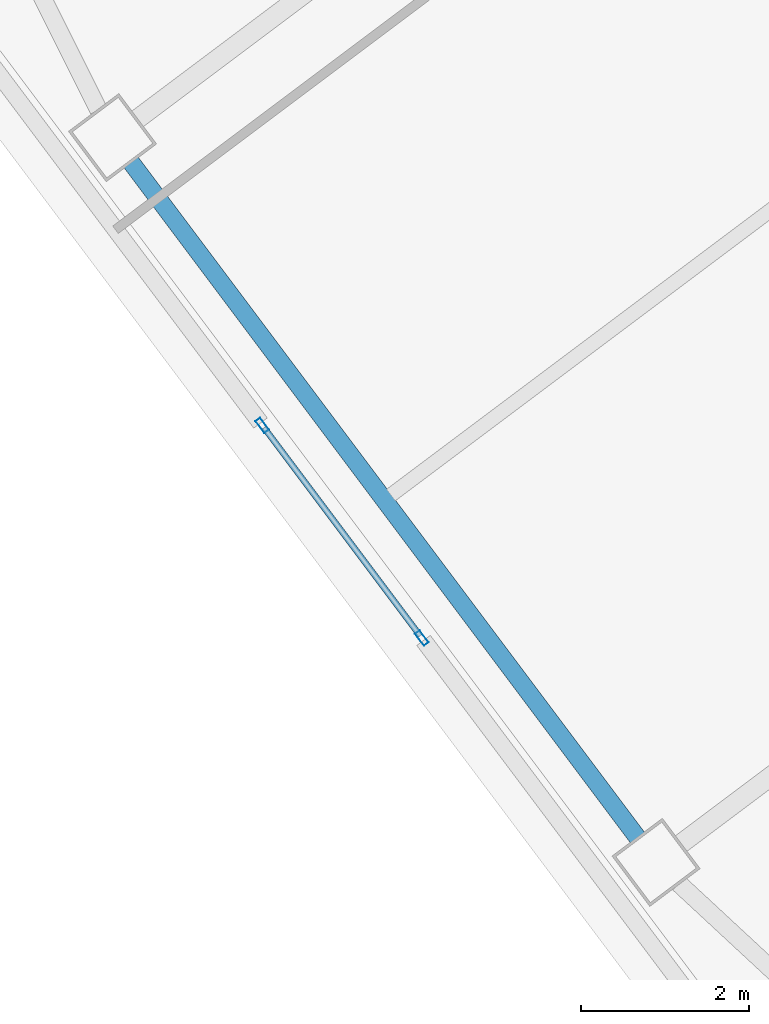
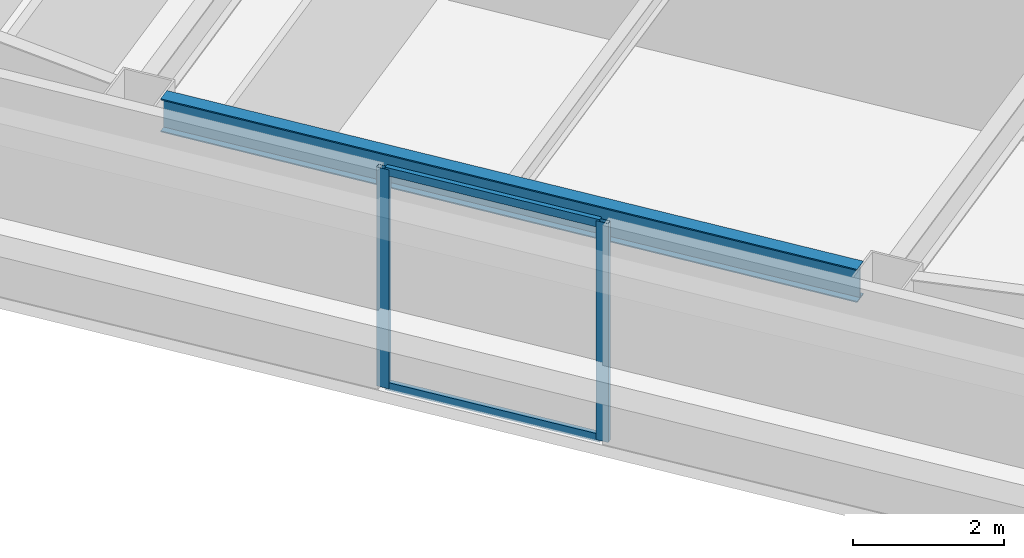
# One storey, part 17 of 43: 4 members, 1 beam, 1 element without a shape of its own.
"""IFC4 building model written with IfcOpenShell, lengths in metres."""

from ifc_helpers import new_model, si_unit, direction, frame, origin, origin_2d, place, context, subcontext, project, spatial, hollow_rectangle, i_section, extrude, material, material_profile, profile_set, type_object, element, aggregate, save


model = new_model("IFC4")

# Units and contexts
model_context = context("Model", 3, precision=1e-05, world=origin(), true_north=direction((0.0, 1.0)))
body_context = subcontext(model_context, "Body", "Model", "MODEL_VIEW")
ifc_project = project(units=[si_unit("LENGTHUNIT", "METRE"), si_unit("AREAUNIT", "SQUARE_METRE"), si_unit("VOLUMEUNIT", "CUBIC_METRE"), si_unit("PLANEANGLEUNIT", "RADIAN"), si_unit("MASSUNIT", "GRAM", prefix="KILO")], contexts=[model_context])

# Site, building, storey
site_placement = place(None, origin())
site = spatial("IfcSite", under=ifc_project, at=site_placement, CompositionType="ELEMENT")
building_placement = place(site_placement, origin())
building = spatial("IfcBuilding", under=site, at=building_placement, Name="Tashvorn Skyway Center", CompositionType="ELEMENT")
storey_placement = place(building_placement, frame((0.0, 0.0, 185.39990234375)))
storey = spatial("IfcBuildingStorey", under=building, at=storey_placement, Name="L50", CompositionType="ELEMENT", Elevation=185.39990234375)

# Beam
ifc_material_1 = material(Name="Steel ASTM A992 Grade 50", Category="steel")
ifc_material_profile_1 = material_profile(ifc_material_1, i_section(OverallWidth=0.2109375, OverallDepth=0.5390625, WebThickness=0.01171875, FlangeThickness=0.018798828125, at=origin_2d()), Name="W21X73")
ifc_profile_set_1 = profile_set([ifc_material_profile_1], Name="Steel ASTM A992 Grade 50")
beam_type = type_object("IfcBeamType", Name="BM-SPANDREL-W21X73", PredefinedType="SPANDREL", material=ifc_profile_set_1)
beam_placement = place(storey_placement, frame((98.06201171875, 26.333984375, 3.1005859375), z_axis=(0.599988351091, -0.800008736549, 0.0), x_axis=(0.800008736549, 0.599988351091, 0.0)))
element("IfcBeam", 1, at=beam_placement, inside=storey, type_object=beam_type, Name="Tower 2 L50 Spandrel Beam 11", PredefinedType="SPANDREL", context=body_context, shape_type="SweptSolid", body=[
    extrude(i_section(OverallWidth=0.2109375, OverallDepth=0.5390625, WebThickness=0.01171875, FlangeThickness=0.018798828125, at=origin_2d()), origin(), (0.0, 0.0, 1.0), 10.06005859375),
])

# Curtain wall, members
ifc_material_2 = material(Name="Thermally broken bronze-anodized aluminium 6063-T6", Category="aluminium")
curtain_wall_type = type_object("IfcCurtainWallType", Name="CW-CW-Z4", PredefinedType="NOTDEFINED", material=ifc_material_2)
curtain_wall_placement = place(storey_placement, origin())
curtain_wall = element("IfcCurtainWall", 2, at=curtain_wall_placement, inside=storey, type_object=curtain_wall_type, Name="Tower 2 L50 West Unitised Curtain Wall Glazing Group 2", PredefinedType="NOTDEFINED")
ifc_material_profile_2 = material_profile(ifc_material_2, hollow_rectangle(XDim=0.070068359375, YDim=0.179931640625, WallThickness=0.00390625, at=origin_2d()), Name="ALU-MULL-70x180")
ifc_profile_set_2 = profile_set([ifc_material_profile_2], Name="Thermally broken bronze-anodized aluminium 6063-T6")
member_type_1 = type_object("IfcMemberType", Name="CWM-CW-Z4", PredefinedType="MULLION", material=ifc_profile_set_2)
member_1_placement = place(storey_placement, frame((101.527099609375, 20.6640625, 0.0), z_axis=(0.0, 0.0, 1.0), x_axis=(-0.799999999998, -0.600000000002, 0.0)))
member_1 = element("IfcMember", 3, at=member_1_placement, type_object=member_type_1, Name="CW-Z4 mullion 1", PredefinedType="MULLION", context=body_context, shape_type="SweptSolid", body=[
    extrude(hollow_rectangle(XDim=0.070068359375, YDim=0.179931640625, WallThickness=0.00390625, at=origin_2d()), origin(), (0.0, 0.0, 1.0), 3.550048828125),
])
member_2_placement = place(storey_placement, frame((99.625, 23.199951171875, 0.0), z_axis=(0.0, 0.0, 1.0), x_axis=(-0.799999999998, -0.600000000002, 0.0)))
member_2 = element("IfcMember", 4, at=member_2_placement, type_object=member_type_1, Name="CW-Z4 mullion 2", PredefinedType="MULLION", context=body_context, shape_type="SweptSolid", body=[
    extrude(hollow_rectangle(XDim=0.070068359375, YDim=0.179931640625, WallThickness=0.00390625, at=origin_2d()), origin(), (0.0, 0.0, 1.0), 3.550048828125),
])
ifc_material_profile_3 = material_profile(ifc_material_2, hollow_rectangle(XDim=0.070068359375, YDim=0.1298828125, WallThickness=0.00390625, at=origin_2d()), Name="ALU-TRAN-70x130")
ifc_profile_set_3 = profile_set([ifc_material_profile_3], Name="Thermally broken bronze-anodized aluminium 6063-T6")
member_type_2 = type_object("IfcMemberType", Name="CWT-CW-Z4", PredefinedType="USERDEFINED", material=ifc_profile_set_3)
member_3_placement = place(storey_placement, frame((101.506103515625, 20.69189453125, 0.03515625), z_axis=(-0.599987400111, 0.800009449761, 0.0), x_axis=(-0.800009449761, -0.599987400111, 0.0)))
member_3 = element("IfcMember", 5, at=member_3_placement, type_object=member_type_2, Name="CW-Z4 transom 1.1", ObjectType="TRANSOM", PredefinedType="USERDEFINED", context=body_context, shape_type="SweptSolid", body=[
    extrude(hollow_rectangle(XDim=0.070068359375, YDim=0.1298828125, WallThickness=0.00390625, at=origin_2d()), origin(), (0.0, 0.0, 1.0), 3.100341796875),
])
member_4_placement = place(storey_placement, frame((101.506103515625, 20.69189453125, 3.51513671875), z_axis=(-0.599987400111, 0.800009449761, 0.0), x_axis=(-0.800009449761, -0.599987400111, 0.0)))
member_4 = element("IfcMember", 6, at=member_4_placement, type_object=member_type_2, Name="CW-Z4 transom 1.2", ObjectType="TRANSOM", PredefinedType="USERDEFINED", context=body_context, shape_type="SweptSolid", body=[
    extrude(hollow_rectangle(XDim=0.070068359375, YDim=0.1298828125, WallThickness=0.00390625, at=origin_2d()), origin(), (0.0, 0.0, 1.0), 3.100341796875),
])
aggregate(curtain_wall, [member_1, member_2, member_3, member_4])

save(model, "model.ifc")
